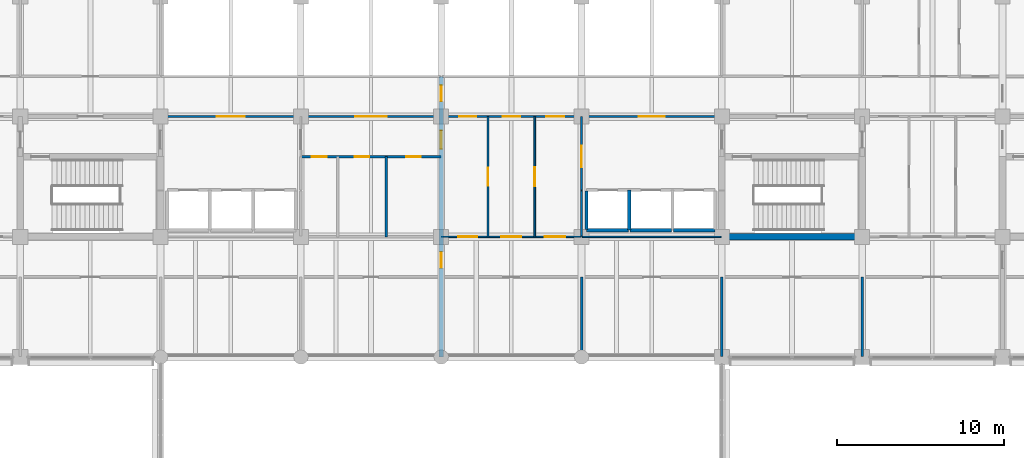
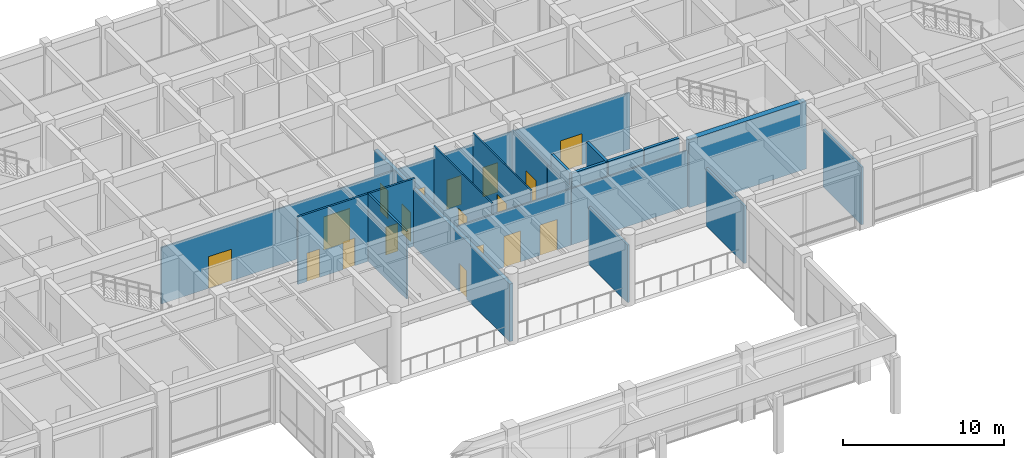
# One storey, part 48 of 68: 19 walls, 18 doors, 18 openings.
"""IFC4 building model written with IfcOpenShell, lengths in metres."""

from ifc_helpers import new_model, si_unit, direction, frame, frame_2d, origin, place, context, subcontext, project, spatial, rectangle, extrude, material, layer, layer_set, type_object, element, fill, save


model = new_model("IFC4")

# Units and contexts
model_context = context("Model", 3, precision=1e-05, world=origin(), true_north=direction((0.0, 1.0)))
body_context = subcontext(model_context, "Body", "Model", "MODEL_VIEW")
ifc_project = project(units=[si_unit("LENGTHUNIT", "METRE"), si_unit("AREAUNIT", "SQUARE_METRE"), si_unit("VOLUMEUNIT", "CUBIC_METRE"), si_unit("PLANEANGLEUNIT", "RADIAN"), si_unit("MASSUNIT", "GRAM", prefix="KILO")], contexts=[model_context])

# Site, building, storey
site_placement = place(None, origin())
site = spatial("IfcSite", under=ifc_project, at=site_placement, CompositionType="ELEMENT")
building_placement = place(site_placement, origin())
building = spatial("IfcBuilding", under=site, at=building_placement, Name="Chengyuan Square Courthouse", CompositionType="ELEMENT")
storey_placement = place(building_placement, frame((0.0, 0.0, 5.39990234375)))
storey = spatial("IfcBuildingStorey", under=building, at=storey_placement, Name="L02", CompositionType="ELEMENT", Elevation=5.39990234375)

# Wall, openings, doors
ifc_material_1 = material(Name="Concrete C40", Category="concrete")
ifc_layer_1 = layer(ifc_material_1, 0.25)
ifc_layer_set_1 = layer_set([ifc_layer_1], Name="Concrete C40")
wall_type_1 = type_object("IfcWallType", Name="WL-FW1", PredefinedType="STANDARD", material=ifc_layer_set_1)
wall_1_placement = place(storey_placement, frame((84.0, 79.199951171875, 0.0), z_axis=(0.0, 0.0, 1.0), x_axis=(0.0, 1.0, 0.0)))
wall_1 = element("IfcWall", 1, at=wall_1_placement, inside=storey, type_object=wall_type_1, Name="Interior Wall WL-L02-I1293", PredefinedType="STANDARD", context=body_context, shape_type="SweptSolid", body=[
    extrude(rectangle(XDim=16.800048828125, YDim=0.25, at=frame_2d((8.39990234375, 0.0))), origin(), (0.0, 0.0, 1.0), 4.3701171875),
])
opening_1_placement = place(wall_1_placement, frame((12.465087890625, 0.0, 0.0)))
opening_1 = element("IfcOpeningElement", 2, at=opening_1_placement, cuts=wall_1, Name="Opening DR-1108", PredefinedType="OPENING", context=body_context, shape_type="SweptSolid", body=[
    extrude(rectangle(XDim=1.10009765625, YDim=2.199951171875, at=frame_2d((0.550048828125, 1.10009765625))), frame((0.0, 0.136962890625, 0.0), z_axis=(0.0, -1.0, 0.0), x_axis=(1.0, 0.0, 0.0)), (0.0, 0.0, 1.0), 0.27392578125),
])
opening_2_placement = place(wall_1_placement, frame((15.31005859375, 0.0, 0.0)))
opening_2 = element("IfcOpeningElement", 3, at=opening_2_placement, cuts=wall_1, Name="Opening DR-1128", PredefinedType="OPENING", context=body_context, shape_type="SweptSolid", body=[
    extrude(rectangle(XDim=0.949951171875, YDim=2.14990234375, at=frame_2d((0.47509765625, 1.074951171875))), frame((0.0, 0.136962890625, 0.0), z_axis=(0.0, -1.0, 0.0), x_axis=(1.0, 0.0, 0.0)), (0.0, 0.0, 1.0), 0.27392578125),
])
opening_3_placement = place(wall_1_placement, frame((5.340087890625, 0.0, 0.0)))
opening_3 = element("IfcOpeningElement", 4, at=opening_3_placement, cuts=wall_1, Name="Opening DR-1236", PredefinedType="OPENING", context=body_context, shape_type="SweptSolid", body=[
    extrude(rectangle(XDim=0.949951171875, YDim=2.14990234375, at=frame_2d((0.47509765625, 1.074951171875))), frame((0.0, 0.136962890625, 0.0), z_axis=(0.0, -1.0, 0.0), x_axis=(1.0, 0.0, 0.0)), (0.0, 0.0, 1.0), 0.27392578125),
])
ifc_material_2 = material(Name="Steel Q235B Fire Door", Category="steel")
door_type_1 = type_object("IfcDoorType", Name="DT-10", OperationType="NOTDEFINED", PredefinedType="DOOR", material=ifc_material_2)
door_1_placement = place(opening_1_placement, origin())
door_1 = element("IfcDoor", 5, at=door_1_placement, inside=storey, type_object=door_type_1, Name="Interior Door DR-1108", OperationType="SINGLE_SWING_RIGHT", OverallHeight=2.199951171875, OverallWidth=1.10009765625, PredefinedType="DOOR", context=body_context, shape_type="SweptSolid", body=[
    extrude(rectangle(XDim=1.10009765625, YDim=2.199951171875, at=frame_2d((0.550048828125, 1.10009765625))), frame((0.0, 0.02490234375, 0.0), z_axis=(0.0, -1.0, 0.0), x_axis=(1.0, 0.0, 0.0)), (0.0, 0.0, 1.0), 0.050048828125),
])
fill(opening_1, door_1)
door_type_2 = type_object("IfcDoorType", Name="DT-12", OperationType="NOTDEFINED", PredefinedType="DOOR", material=ifc_material_2)
door_2_placement = place(opening_2_placement, origin())
door_2 = element("IfcDoor", 6, at=door_2_placement, inside=storey, type_object=door_type_2, Name="Interior Door DR-1128", OperationType="SINGLE_SWING_RIGHT", OverallHeight=2.14990234375, OverallWidth=0.949951171875, PredefinedType="DOOR", context=body_context, shape_type="SweptSolid", body=[
    extrude(rectangle(XDim=0.949951171875, YDim=2.14990234375, at=frame_2d((0.47509765625, 1.074951171875))), frame((0.0, 0.02490234375, 0.0), z_axis=(0.0, -1.0, 0.0), x_axis=(1.0, 0.0, 0.0)), (0.0, 0.0, 1.0), 0.050048828125),
])
fill(opening_2, door_2)
door_3_placement = place(opening_3_placement, origin())
door_3 = element("IfcDoor", 7, at=door_3_placement, inside=storey, type_object=door_type_2, Name="Interior Door DR-1236", OperationType="SINGLE_SWING_LEFT", OverallHeight=2.14990234375, OverallWidth=0.949951171875, PredefinedType="DOOR", context=body_context, shape_type="SweptSolid", body=[
    extrude(rectangle(XDim=0.949951171875, YDim=2.14990234375, at=frame_2d((0.47509765625, 1.074951171875))), frame((0.0, 0.02490234375, 0.0), z_axis=(0.0, -1.0, 0.0), x_axis=(1.0, 0.0, 0.0)), (0.0, 0.0, 1.0), 0.050048828125),
])
fill(opening_3, door_3)

# Walls
ifc_material_3 = material(Name="Deliberation Room Sound-Insulated Partition")
ifc_layer_2 = layer(ifc_material_3, 0.14990234375)
ifc_layer_set_2 = layer_set([ifc_layer_2], Name="Deliberation Room Sound-Insulated Partition")
wall_type_2 = type_object("IfcWallType", Name="WL-PT3", PredefinedType="STANDARD", material=ifc_layer_set_2)
wall_2_placement = place(storey_placement, frame((92.39990234375, 79.199951171875, 0.0), z_axis=(0.0, 0.0, 1.0), x_axis=(0.0, 1.0, 0.0)))
element("IfcWall", 8, at=wall_2_placement, inside=storey, type_object=wall_type_2, Name="Interior Wall WL-L02-I1302", PredefinedType="STANDARD", context=body_context, shape_type="SweptSolid", body=[
    extrude(rectangle(XDim=4.800048828125, YDim=0.14990234375, at=frame_2d((2.39990234375, 0.0))), origin(), (0.0, 0.0, 1.0), 4.3701171875),
])
for number, where, z_axis, x_axis, name in (
    (9, (100.800048828125, 79.239990234375, 0.0), (0.0, 0.0, 1.0), (0.0, 1.0, 0.0), "Interior Wall WL-L02-I1316"),
    (10, (109.199951171875, 79.239990234375, 0.0), (0.0, 0.0, 1.0), (0.0, 1.0, 0.0), "Interior Wall WL-L02-I1325"),
):
    element("IfcWall", number, at=place(storey_placement, frame(where, z_axis=z_axis, x_axis=x_axis)), inside=storey, type_object=wall_type_2, Name=name, PredefinedType="STANDARD", context=body_context, shape_type="SweptSolid", body=[
        extrude(rectangle(XDim=4.760009765625, YDim=0.14990234375, at=frame_2d((2.3798828125, 0.0))), origin(), (0.0, 0.0, 1.0), 4.3701171875),
    ])

# Wall, openings, doors
ifc_material_4 = material(Name="Moisture-Resistant Masonry Wet-Room Partition", Category="masonry")
ifc_layer_3 = layer(ifc_material_4, 0.139892578125)
ifc_layer_set_3 = layer_set([ifc_layer_3], Name="Moisture-Resistant Masonry Wet-Room Partition")
wall_type_3 = type_object("IfcWallType", Name="WL-PT4", PredefinedType="STANDARD", material=ifc_layer_set_3)
wall_3_placement = place(storey_placement, frame((75.60009765625, 91.199951171875, 0.0), z_axis=(0.0, 0.0, 1.0), x_axis=(1.0, 0.0, 0.0)))
wall_3 = element("IfcWall", 11, at=wall_3_placement, inside=storey, type_object=wall_type_3, Name="Interior Wall WL-L02-I1094", PredefinedType="STANDARD", context=body_context, shape_type="SweptSolid", body=[
    extrude(rectangle(XDim=8.39990234375, YDim=0.139892578125, at=frame_2d((4.199951171875, 0.0))), origin(), (0.0, 0.0, 1.0), 5.1201171875),
])
opening_4_placement = place(wall_3_placement, frame((0.64990234375, 0.0, 0.0)))
opening_4 = element("IfcOpeningElement", 12, at=opening_4_placement, cuts=wall_3, Name="Opening DR-1104", PredefinedType="OPENING", context=body_context, shape_type="SweptSolid", body=[
    extrude(rectangle(XDim=0.89990234375, YDim=2.14990234375, at=frame_2d((0.449951171875, 1.074951171875))), frame((0.0, 0.08203125, 0.0), z_axis=(0.0, -1.0, 0.0), x_axis=(1.0, 0.0, 0.0)), (0.0, 0.0, 1.0), 0.163818359375),
])
opening_5_placement = place(wall_3_placement, frame((3.219970703125, 0.0, 0.0)))
opening_5 = element("IfcOpeningElement", 13, at=opening_5_placement, cuts=wall_3, Name="Opening DR-1105", PredefinedType="OPENING", context=body_context, shape_type="SweptSolid", body=[
    extrude(rectangle(XDim=0.860107421875, YDim=2.10009765625, at=frame_2d((0.43017578125, 1.050048828125))), frame((0.0, 0.08203125, 0.0), z_axis=(0.0, -1.0, 0.0), x_axis=(1.0, 0.0, 0.0)), (0.0, 0.0, 1.0), 0.163818359375),
])
opening_6_placement = place(wall_3_placement, frame((6.320068359375, 0.0, 0.0)))
opening_6 = element("IfcOpeningElement", 14, at=opening_6_placement, cuts=wall_3, Name="Opening DR-1106", PredefinedType="OPENING", context=body_context, shape_type="SweptSolid", body=[
    extrude(rectangle(XDim=0.860107421875, YDim=2.10009765625, at=frame_2d((0.43017578125, 1.050048828125))), frame((0.0, 0.08203125, 0.0), z_axis=(0.0, -1.0, 0.0), x_axis=(1.0, 0.0, 0.0)), (0.0, 0.0, 1.0), 0.163818359375),
])
ifc_material_5 = material(Name="Acoustic Solid-Core Timber Door", Category="wood")
door_type_3 = type_object("IfcDoorType", Name="DT-27", OperationType="NOTDEFINED", PredefinedType="DOOR", material=ifc_material_5)
door_4_placement = place(opening_4_placement, origin())
door_4 = element("IfcDoor", 15, at=door_4_placement, inside=storey, type_object=door_type_3, Name="Interior Door DR-1104", OperationType="SINGLE_SWING_LEFT", OverallHeight=2.14990234375, OverallWidth=0.89990234375, PredefinedType="DOOR", context=body_context, shape_type="SweptSolid", body=[
    extrude(rectangle(XDim=0.89990234375, YDim=2.14990234375, at=frame_2d((0.449951171875, 1.074951171875))), frame((0.0, 0.02490234375, 0.0), z_axis=(0.0, -1.0, 0.0), x_axis=(1.0, 0.0, 0.0)), (0.0, 0.0, 1.0), 0.050048828125),
])
fill(opening_4, door_4)
door_type_4 = type_object("IfcDoorType", Name="DT-28", OperationType="NOTDEFINED", PredefinedType="DOOR", material=ifc_material_5)
door_5_placement = place(opening_5_placement, origin())
door_5 = element("IfcDoor", 16, at=door_5_placement, inside=storey, type_object=door_type_4, Name="Interior Door DR-1105", OperationType="SINGLE_SWING_RIGHT", OverallHeight=2.10009765625, OverallWidth=0.860107421875, PredefinedType="DOOR", context=body_context, shape_type="SweptSolid", body=[
    extrude(rectangle(XDim=0.860107421875, YDim=2.10009765625, at=frame_2d((0.43017578125, 1.050048828125))), frame((0.0, 0.02490234375, 0.0), z_axis=(0.0, -1.0, 0.0), x_axis=(1.0, 0.0, 0.0)), (0.0, 0.0, 1.0), 0.050048828125),
])
fill(opening_5, door_5)
door_6_placement = place(opening_6_placement, origin())
door_6 = element("IfcDoor", 17, at=door_6_placement, inside=storey, type_object=door_type_4, Name="Interior Door DR-1106", OperationType="SINGLE_SWING_LEFT", OverallHeight=2.10009765625, OverallWidth=0.860107421875, PredefinedType="DOOR", context=body_context, shape_type="SweptSolid", body=[
    extrude(rectangle(XDim=0.860107421875, YDim=2.10009765625, at=frame_2d((0.43017578125, 1.050048828125))), frame((0.0, 0.02490234375, 0.0), z_axis=(0.0, -1.0, 0.0), x_axis=(1.0, 0.0, 0.0)), (0.0, 0.0, 1.0), 0.050048828125),
])
fill(opening_6, door_6)

# Wall
wall_4_placement = place(storey_placement, frame((80.699951171875, 86.39990234375, 0.0), z_axis=(0.0, 0.0, 1.0), x_axis=(0.0, 1.0, 0.0)))
element("IfcWall", 18, at=wall_4_placement, inside=storey, type_object=wall_type_3, Name="Interior Wall WL-L02-I1290", PredefinedType="STANDARD", context=body_context, shape_type="SweptSolid", body=[
    extrude(rectangle(XDim=4.800048828125, YDim=0.139892578125, at=frame_2d((2.39990234375, 0.0))), origin(), (0.0, 0.0, 1.0), 5.1201171875),
])

# Wall, openings, doors
ifc_material_6 = material(Name="Gypsum Plasterboard Acoustic Stud Partition")
ifc_layer_4 = layer(ifc_material_6, 0.10009765625)
ifc_layer_set_4 = layer_set([ifc_layer_4], Name="Gypsum Plasterboard Acoustic Stud Partition")
wall_type_4 = type_object("IfcWallType", Name="WL-PT6", PredefinedType="STANDARD", material=ifc_layer_set_4)
wall_5_placement = place(storey_placement, frame((84.0, 86.39990234375, 0.0), z_axis=(0.0, 0.0, 1.0), x_axis=(1.0, 0.0, 0.0)))
wall_5 = element("IfcWall", 19, at=wall_5_placement, inside=storey, type_object=wall_type_4, Name="Interior Wall WL-L02-I1075", PredefinedType="STANDARD", context=body_context, shape_type="SweptSolid", body=[
    extrude(rectangle(XDim=8.39990234375, YDim=0.10009765625, at=frame_2d((4.199951171875, 0.0))), origin(), (0.0, 0.0, 1.0), 4.27001953125),
])
opening_7_placement = place(wall_5_placement, frame((1.02490234375, 0.0, 0.0)))
opening_7 = element("IfcOpeningElement", 20, at=opening_7_placement, cuts=wall_5, Name="Opening DR-1195", PredefinedType="OPENING", context=body_context, shape_type="SweptSolid", body=[
    extrude(rectangle(XDim=1.1201171875, YDim=2.25, at=frame_2d((0.56005859375, 1.125))), frame((0.0, 0.06201171875, 0.0), z_axis=(0.0, -1.0, 0.0), x_axis=(1.0, 0.0, 0.0)), (0.0, 0.0, 1.0), 0.1240234375),
])
opening_8_placement = place(wall_5_placement, frame((3.60009765625, 0.0, 0.0)))
opening_8 = element("IfcOpeningElement", 21, at=opening_8_placement, cuts=wall_5, Name="Opening DR-1197", PredefinedType="OPENING", context=body_context, shape_type="SweptSolid", body=[
    extrude(rectangle(XDim=1.199951171875, YDim=2.35009765625, at=frame_2d((0.60009765625, 1.175048828125))), frame((0.0, 0.06201171875, 0.0), z_axis=(0.0, -1.0, 0.0), x_axis=(1.0, 0.0, 0.0)), (0.0, 0.0, 1.0), 0.1240234375),
])
opening_9_placement = place(wall_5_placement, frame((6.195068359375, 0.0, 0.0)))
opening_9 = element("IfcOpeningElement", 22, at=opening_9_placement, cuts=wall_5, Name="Opening DR-1198", PredefinedType="OPENING", context=body_context, shape_type="SweptSolid", body=[
    extrude(rectangle(XDim=1.239990234375, YDim=2.300048828125, at=frame_2d((0.6201171875, 1.14990234375))), frame((0.0, 0.06201171875, 0.0), z_axis=(0.0, -1.0, 0.0), x_axis=(1.0, 0.0, 0.0)), (0.0, 0.0, 1.0), 0.1240234375),
])
door_type_5 = type_object("IfcDoorType", Name="DT-34", OperationType="NOTDEFINED", PredefinedType="DOOR", material=ifc_material_5)
door_7_placement = place(opening_7_placement, origin())
door_7 = element("IfcDoor", 23, at=door_7_placement, inside=storey, type_object=door_type_5, Name="Interior Door DR-1195", OperationType="SINGLE_SWING_RIGHT", OverallHeight=2.25, OverallWidth=1.1201171875, PredefinedType="DOOR", context=body_context, shape_type="SweptSolid", body=[
    extrude(rectangle(XDim=1.1201171875, YDim=2.25, at=frame_2d((0.56005859375, 1.125))), frame((0.0, 0.02490234375, 0.0), z_axis=(0.0, -1.0, 0.0), x_axis=(1.0, 0.0, 0.0)), (0.0, 0.0, 1.0), 0.050048828125),
])
fill(opening_7, door_7)
door_type_6 = type_object("IfcDoorType", Name="DT-36", OperationType="NOTDEFINED", PredefinedType="DOOR", material=ifc_material_5)
door_8_placement = place(opening_8_placement, origin())
door_8 = element("IfcDoor", 24, at=door_8_placement, inside=storey, type_object=door_type_6, Name="Interior Door DR-1197", OperationType="SINGLE_SWING_RIGHT", OverallHeight=2.35009765625, OverallWidth=1.199951171875, PredefinedType="DOOR", context=body_context, shape_type="SweptSolid", body=[
    extrude(rectangle(XDim=1.199951171875, YDim=2.35009765625, at=frame_2d((0.60009765625, 1.175048828125))), frame((0.0, 0.02490234375, 0.0), z_axis=(0.0, -1.0, 0.0), x_axis=(1.0, 0.0, 0.0)), (0.0, 0.0, 1.0), 0.050048828125),
])
fill(opening_8, door_8)
door_type_7 = type_object("IfcDoorType", Name="DT-37", OperationType="NOTDEFINED", PredefinedType="DOOR", material=ifc_material_5)
door_9_placement = place(opening_9_placement, origin())
door_9 = element("IfcDoor", 25, at=door_9_placement, inside=storey, type_object=door_type_7, Name="Interior Door DR-1198", OperationType="SINGLE_SWING_LEFT", OverallHeight=2.300048828125, OverallWidth=1.239990234375, PredefinedType="DOOR", context=body_context, shape_type="SweptSolid", body=[
    extrude(rectangle(XDim=1.239990234375, YDim=2.300048828125, at=frame_2d((0.6201171875, 1.14990234375))), frame((0.0, 0.02490234375, 0.0), z_axis=(0.0, -1.0, 0.0), x_axis=(1.0, 0.0, 0.0)), (0.0, 0.0, 1.0), 0.050048828125),
])
fill(opening_9, door_9)

# Wall
wall_6_placement = place(storey_placement, frame((92.449951171875, 86.39990234375, 0.0), z_axis=(0.0, 0.0, 1.0), x_axis=(1.0, 0.0, 0.0)))
element("IfcWall", 26, at=wall_6_placement, inside=storey, type_object=wall_type_4, Name="Interior Wall WL-L02-I1076", PredefinedType="STANDARD", context=body_context, shape_type="SweptSolid", body=[
    extrude(rectangle(XDim=8.300048828125, YDim=0.10009765625, at=frame_2d((4.14990234375, 0.0))), origin(), (0.0, 0.0, 1.0), 4.27001953125),
])

# Wall, openings, doors
wall_7_placement = place(storey_placement, frame((67.199951171875, 93.60009765625, 0.0), z_axis=(0.0, 0.0, 1.0), x_axis=(1.0, 0.0, 0.0)))
wall_7 = element("IfcWall", 27, at=wall_7_placement, inside=storey, type_object=wall_type_4, Name="Interior Wall WL-L02-I1104", PredefinedType="STANDARD", context=body_context, shape_type="SweptSolid", body=[
    extrude(rectangle(XDim=33.60009765625, YDim=0.10009765625, at=frame_2d((16.800048828125, 0.0))), origin(), (0.0, 0.0, 1.0), 4.27001953125),
])
opening_10_placement = place(wall_7_placement, frame((3.375, 0.0, 0.0)))
opening_10 = element("IfcOpeningElement", 28, at=opening_10_placement, cuts=wall_7, Name="Opening DR-1061", PredefinedType="OPENING", context=body_context, shape_type="SweptSolid", body=[
    extrude(rectangle(XDim=1.64990234375, YDim=2.39990234375, at=frame_2d((0.824951171875, 1.199951171875))), frame((0.0, 0.06201171875, 0.0), z_axis=(0.0, -1.0, 0.0), x_axis=(1.0, 0.0, 0.0)), (0.0, 0.0, 1.0), 0.1240234375),
])
opening_11_placement = place(wall_7_placement, frame((28.625, 0.0, 0.0)))
opening_11 = element("IfcOpeningElement", 29, at=opening_11_placement, cuts=wall_7, Name="Opening DR-1062", PredefinedType="OPENING", context=body_context, shape_type="SweptSolid", body=[
    extrude(rectangle(XDim=1.550048828125, YDim=2.35009765625, at=frame_2d((0.77490234375, 1.175048828125))), frame((0.0, 0.06201171875, 0.0), z_axis=(0.0, -1.0, 0.0), x_axis=(1.0, 0.0, 0.0)), (0.0, 0.0, 1.0), 0.1240234375),
])
opening_12_placement = place(wall_7_placement, frame((11.64990234375, 0.0, 0.0)))
opening_12 = element("IfcOpeningElement", 30, at=opening_12_placement, cuts=wall_7, Name="Opening DR-1107", PredefinedType="OPENING", context=body_context, shape_type="SweptSolid", body=[
    extrude(rectangle(XDim=1.89990234375, YDim=2.5, at=frame_2d((0.949951171875, 1.25))), frame((0.0, 0.06201171875, 0.0), z_axis=(0.0, -1.0, 0.0), x_axis=(1.0, 0.0, 0.0)), (0.0, 0.0, 1.0), 0.1240234375),
])
opening_13_placement = place(wall_7_placement, frame((17.885009765625, 0.0, 0.0)))
opening_13 = element("IfcOpeningElement", 31, at=opening_13_placement, cuts=wall_7, Name="Opening DR-1141", PredefinedType="OPENING", context=body_context, shape_type="SweptSolid", body=[
    extrude(rectangle(XDim=1.0, YDim=2.25, at=frame_2d((0.5, 1.125))), frame((0.0, 0.06201171875, 0.0), z_axis=(0.0, -1.0, 0.0), x_axis=(1.0, 0.0, 0.0)), (0.0, 0.0, 1.0), 0.1240234375),
])
opening_14_placement = place(wall_7_placement, frame((20.47998046875, 0.0, 0.0)))
opening_14 = element("IfcOpeningElement", 32, at=opening_14_placement, cuts=wall_7, Name="Opening DR-1142", PredefinedType="OPENING", context=body_context, shape_type="SweptSolid", body=[
    extrude(rectangle(XDim=1.0400390625, YDim=2.199951171875, at=frame_2d((0.52001953125, 1.10009765625))), frame((0.0, 0.06201171875, 0.0), z_axis=(0.0, -1.0, 0.0), x_axis=(1.0, 0.0, 0.0)), (0.0, 0.0, 1.0), 0.1240234375),
])
opening_15_placement = place(wall_7_placement, frame((23.074951171875, 0.0, 0.0)))
opening_15 = element("IfcOpeningElement", 33, at=opening_15_placement, cuts=wall_7, Name="Opening DR-1143", PredefinedType="OPENING", context=body_context, shape_type="SweptSolid", body=[
    extrude(rectangle(XDim=1.080078125, YDim=2.25, at=frame_2d((0.5400390625, 1.125))), frame((0.0, 0.06201171875, 0.0), z_axis=(0.0, -1.0, 0.0), x_axis=(1.0, 0.0, 0.0)), (0.0, 0.0, 1.0), 0.1240234375),
])
ifc_material_7 = material(Name="Acoustic Larch Veneer Double Door")
door_type_8 = type_object("IfcDoorType", Name="DT-22", OperationType="DOUBLE_DOOR_SINGLE_SWING", PredefinedType="DOOR", material=ifc_material_7)
door_10_placement = place(opening_10_placement, frame((1.64990234375, 0.0, 0.0), z_axis=(0.0, 0.0, 1.0), x_axis=(-1.0, 0.0, 0.0)))
door_10 = element("IfcDoor", 34, at=door_10_placement, inside=storey, type_object=door_type_8, Name="Interior Door DR-1061", OperationType="DOUBLE_DOOR_SINGLE_SWING", OverallHeight=2.39990234375, OverallWidth=1.64990234375, PredefinedType="DOOR", context=body_context, shape_type="SweptSolid", body=[
    extrude(rectangle(XDim=1.64990234375, YDim=2.39990234375, at=frame_2d((0.824951171875, 1.199951171875))), frame((0.0, 0.02490234375, 0.0), z_axis=(0.0, -1.0, 0.0), x_axis=(1.0, 0.0, 0.0)), (0.0, 0.0, 1.0), 0.050048828125),
])
fill(opening_10, door_10)
door_type_9 = type_object("IfcDoorType", Name="DT-23", OperationType="DOUBLE_DOOR_SINGLE_SWING", PredefinedType="DOOR", material=ifc_material_7)
door_11_placement = place(opening_11_placement, frame((1.550048828125, 0.0, 0.0), z_axis=(0.0, 0.0, 1.0), x_axis=(-1.0, 0.0, 0.0)))
door_11 = element("IfcDoor", 35, at=door_11_placement, inside=storey, type_object=door_type_9, Name="Interior Door DR-1062", OperationType="DOUBLE_DOOR_SINGLE_SWING", OverallHeight=2.35009765625, OverallWidth=1.550048828125, PredefinedType="DOOR", context=body_context, shape_type="SweptSolid", body=[
    extrude(rectangle(XDim=1.550048828125, YDim=2.35009765625, at=frame_2d((0.77490234375, 1.175048828125))), frame((0.0, 0.02490234375, 0.0), z_axis=(0.0, -1.0, 0.0), x_axis=(1.0, 0.0, 0.0)), (0.0, 0.0, 1.0), 0.050048828125),
])
fill(opening_11, door_11)
door_type_10 = type_object("IfcDoorType", Name="DT-26", OperationType="DOUBLE_DOOR_SINGLE_SWING", PredefinedType="DOOR", material=ifc_material_7)
door_12_placement = place(opening_12_placement, frame((1.89990234375, 0.0, 0.0), z_axis=(0.0, 0.0, 1.0), x_axis=(-1.0, 0.0, 0.0)))
door_12 = element("IfcDoor", 36, at=door_12_placement, inside=storey, type_object=door_type_10, Name="Interior Door DR-1107", OperationType="DOUBLE_DOOR_SINGLE_SWING", OverallHeight=2.5, OverallWidth=1.89990234375, PredefinedType="DOOR", context=body_context, shape_type="SweptSolid", body=[
    extrude(rectangle(XDim=1.89990234375, YDim=2.5, at=frame_2d((0.949951171875, 1.25))), frame((0.0, 0.02490234375, 0.0), z_axis=(0.0, -1.0, 0.0), x_axis=(1.0, 0.0, 0.0)), (0.0, 0.0, 1.0), 0.050048828125),
])
fill(opening_12, door_12)
door_type_11 = type_object("IfcDoorType", Name="DT-31", OperationType="NOTDEFINED", PredefinedType="DOOR", material=ifc_material_5)
door_13_placement = place(opening_13_placement, origin())
door_13 = element("IfcDoor", 37, at=door_13_placement, inside=storey, type_object=door_type_11, Name="Interior Door DR-1141", OperationType="SINGLE_SWING_LEFT", OverallHeight=2.25, OverallWidth=1.0, PredefinedType="DOOR", context=body_context, shape_type="SweptSolid", body=[
    extrude(rectangle(XDim=1.0, YDim=2.25, at=frame_2d((0.5, 1.125))), frame((0.0, 0.02490234375, 0.0), z_axis=(0.0, -1.0, 0.0), x_axis=(1.0, 0.0, 0.0)), (0.0, 0.0, 1.0), 0.050048828125),
])
fill(opening_13, door_13)
door_type_12 = type_object("IfcDoorType", Name="DT-32", OperationType="NOTDEFINED", PredefinedType="DOOR", material=ifc_material_5)
door_14_placement = place(opening_14_placement, origin())
door_14 = element("IfcDoor", 38, at=door_14_placement, inside=storey, type_object=door_type_12, Name="Interior Door DR-1142", OperationType="SINGLE_SWING_RIGHT", OverallHeight=2.199951171875, OverallWidth=1.0400390625, PredefinedType="DOOR", context=body_context, shape_type="SweptSolid", body=[
    extrude(rectangle(XDim=1.0400390625, YDim=2.199951171875, at=frame_2d((0.52001953125, 1.10009765625))), frame((0.0, 0.02490234375, 0.0), z_axis=(0.0, -1.0, 0.0), x_axis=(1.0, 0.0, 0.0)), (0.0, 0.0, 1.0), 0.050048828125),
])
fill(opening_14, door_14)
door_type_13 = type_object("IfcDoorType", Name="DT-33", OperationType="NOTDEFINED", PredefinedType="DOOR", material=ifc_material_5)
door_15_placement = place(opening_15_placement, origin())
door_15 = element("IfcDoor", 39, at=door_15_placement, inside=storey, type_object=door_type_13, Name="Interior Door DR-1143", OperationType="SINGLE_SWING_LEFT", OverallHeight=2.25, OverallWidth=1.080078125, PredefinedType="DOOR", context=body_context, shape_type="SweptSolid", body=[
    extrude(rectangle(XDim=1.080078125, YDim=2.25, at=frame_2d((0.5400390625, 1.125))), frame((0.0, 0.02490234375, 0.0), z_axis=(0.0, -1.0, 0.0), x_axis=(1.0, 0.0, 0.0)), (0.0, 0.0, 1.0), 0.050048828125),
])
fill(opening_15, door_15)

# Wall, opening, door
wall_8_placement = place(storey_placement, frame((86.800048828125, 86.39990234375, 0.0), z_axis=(0.0, 0.0, 1.0), x_axis=(0.0, 1.0, 0.0)))
wall_8 = element("IfcWall", 40, at=wall_8_placement, inside=storey, type_object=wall_type_4, Name="Interior Wall WL-L02-I1297", PredefinedType="STANDARD", context=body_context, shape_type="SweptSolid", body=[
    extrude(rectangle(XDim=7.2001953125, YDim=0.10009765625, at=frame_2d((3.60009765625, 0.0))), origin(), (0.0, 0.0, 1.0), 5.1201171875),
])
opening_16_placement = place(wall_8_placement, frame((3.06005859375, 0.0, 0.0)))
opening_16 = element("IfcOpeningElement", 41, at=opening_16_placement, cuts=wall_8, Name="Opening DR-1194", PredefinedType="OPENING", context=body_context, shape_type="SweptSolid", body=[
    extrude(rectangle(XDim=1.080078125, YDim=2.25, at=frame_2d((0.5400390625, 1.125))), frame((0.0, 0.06201171875, 0.0), z_axis=(0.0, -1.0, 0.0), x_axis=(1.0, 0.0, 0.0)), (0.0, 0.0, 1.0), 0.1240234375),
])
door_16_placement = place(opening_16_placement, origin())
door_16 = element("IfcDoor", 42, at=door_16_placement, inside=storey, type_object=door_type_13, Name="Interior Door DR-1194", OperationType="SINGLE_SWING_LEFT", OverallHeight=2.25, OverallWidth=1.080078125, PredefinedType="DOOR", context=body_context, shape_type="SweptSolid", body=[
    extrude(rectangle(XDim=1.080078125, YDim=2.25, at=frame_2d((0.5400390625, 1.125))), frame((0.0, 0.02490234375, 0.0), z_axis=(0.0, -1.0, 0.0), x_axis=(1.0, 0.0, 0.0)), (0.0, 0.0, 1.0), 0.050048828125),
])
fill(opening_16, door_16)

wall_9_placement = place(storey_placement, frame((89.60009765625, 86.39990234375, 0.0), z_axis=(0.0, 0.0, 1.0), x_axis=(0.0, 1.0, 0.0)))
wall_9 = element("IfcWall", 43, at=wall_9_placement, inside=storey, type_object=wall_type_4, Name="Interior Wall WL-L02-I1300", PredefinedType="STANDARD", context=body_context, shape_type="SweptSolid", body=[
    extrude(rectangle(XDim=7.2001953125, YDim=0.10009765625, at=frame_2d((3.60009765625, 0.0))), origin(), (0.0, 0.0, 1.0), 5.1201171875),
])
opening_17_placement = place(wall_9_placement, frame((3.02001953125, 0.0, 0.0)))
opening_17 = element("IfcOpeningElement", 44, at=opening_17_placement, cuts=wall_9, Name="Opening DR-1196", PredefinedType="OPENING", context=body_context, shape_type="SweptSolid", body=[
    extrude(rectangle(XDim=1.159912109375, YDim=2.300048828125, at=frame_2d((0.580078125, 1.14990234375))), frame((0.0, 0.06201171875, 0.0), z_axis=(0.0, -1.0, 0.0), x_axis=(1.0, 0.0, 0.0)), (0.0, 0.0, 1.0), 0.1240234375),
])
door_type_14 = type_object("IfcDoorType", Name="DT-35", OperationType="NOTDEFINED", PredefinedType="DOOR", material=ifc_material_5)
door_17_placement = place(opening_17_placement, origin())
door_17 = element("IfcDoor", 45, at=door_17_placement, inside=storey, type_object=door_type_14, Name="Interior Door DR-1196", OperationType="SINGLE_SWING_LEFT", OverallHeight=2.300048828125, OverallWidth=1.159912109375, PredefinedType="DOOR", context=body_context, shape_type="SweptSolid", body=[
    extrude(rectangle(XDim=1.159912109375, YDim=2.300048828125, at=frame_2d((0.580078125, 1.14990234375))), frame((0.0, 0.02490234375, 0.0), z_axis=(0.0, -1.0, 0.0), x_axis=(1.0, 0.0, 0.0)), (0.0, 0.0, 1.0), 0.050048828125),
])
fill(opening_17, door_17)

# Wall
wall_10_placement = place(storey_placement, frame((92.39990234375, 86.449951171875, 0.0), z_axis=(0.0, 0.0, 1.0), x_axis=(0.0, 1.0, 0.0)))
element("IfcWall", 46, at=wall_10_placement, inside=storey, type_object=wall_type_4, Name="Interior Wall WL-L02-I1303", PredefinedType="STANDARD", context=body_context, shape_type="SweptSolid", body=[
    extrude(rectangle(XDim=2.699951171875, YDim=0.10009765625, at=frame_2d((1.35009765625, 0.0))), origin(), (0.0, 0.0, 1.0), 4.3701171875),
])

# Wall, opening, door
wall_11_placement = place(storey_placement, frame((92.39990234375, 89.199951171875, 0.0), z_axis=(0.0, 0.0, 1.0), x_axis=(0.0, 1.0, 0.0)))
wall_11 = element("IfcWall", 47, at=wall_11_placement, inside=storey, type_object=wall_type_4, Name="Interior Wall WL-L02-I1304", PredefinedType="STANDARD", context=body_context, shape_type="SweptSolid", body=[
    extrude(rectangle(XDim=4.400146484375, YDim=0.10009765625, at=frame_2d((2.2001953125, 0.0))), origin(), (0.0, 0.0, 1.0), 4.3701171875),
])
opening_18_placement = place(wall_11_placement, frame((1.375, 0.0, 0.0)))
opening_18 = element("IfcOpeningElement", 48, at=opening_18_placement, cuts=wall_11, Name="Opening DR-1063", PredefinedType="OPENING", context=body_context, shape_type="SweptSolid", body=[
    extrude(rectangle(XDim=1.280029296875, YDim=2.35009765625, at=frame_2d((0.64013671875, 1.175048828125))), frame((0.0, 0.06201171875, 0.0), z_axis=(0.0, -1.0, 0.0), x_axis=(1.0, 0.0, 0.0)), (0.0, 0.0, 1.0), 0.1240234375),
])
door_type_15 = type_object("IfcDoorType", Name="DT-38", OperationType="NOTDEFINED", PredefinedType="DOOR", material=ifc_material_5)
door_18_placement = place(opening_18_placement, origin())
door_18 = element("IfcDoor", 49, at=door_18_placement, inside=storey, type_object=door_type_15, Name="Interior Door DR-1063", OperationType="SINGLE_SWING_RIGHT", OverallHeight=2.35009765625, OverallWidth=1.280029296875, PredefinedType="DOOR", context=body_context, shape_type="SweptSolid", body=[
    extrude(rectangle(XDim=1.280029296875, YDim=2.35009765625, at=frame_2d((0.64013671875, 1.175048828125))), frame((0.0, 0.02490234375, 0.0), z_axis=(0.0, -1.0, 0.0), x_axis=(1.0, 0.0, 0.0)), (0.0, 0.0, 1.0), 0.050048828125),
])
fill(opening_18, door_18)

# Walls
ifc_material_8 = material(Name="Reinforced Masonry Shaft Enclosure", Category="masonry")
ifc_layer_5 = layer(ifc_material_8, 0.199951171875)
ifc_layer_set_5 = layer_set([ifc_layer_5], Name="Reinforced Masonry Shaft Enclosure")
wall_type_5 = type_object("IfcWallType", Name="WL-SH1", PredefinedType="STANDARD", material=ifc_layer_set_5)
for number, where, z_axis, x_axis, name in (
    (50, (92.699951171875, 86.800048828125, 0.0), (0.0, 0.0, 1.0), (1.0, 0.0, 0.0), "Interior Wall WL-L02-I1086"),
    (51, (95.300048828125, 86.800048828125, 0.0), (0.0, 0.0, 1.0), (1.0, 0.0, 0.0), "Interior Wall WL-L02-I1087"),
    (52, (97.89990234375, 86.800048828125, 0.0), (0.0, 0.0, 1.0), (1.0, 0.0, 0.0), "Interior Wall WL-L02-I1088"),
):
    element("IfcWall", number, at=place(storey_placement, frame(where, z_axis=z_axis, x_axis=x_axis)), inside=storey, type_object=wall_type_5, Name=name, PredefinedType="STANDARD", context=body_context, shape_type="SweptSolid", body=[
        extrude(rectangle(XDim=2.5, YDim=0.199951171875, at=frame_2d((1.25, 0.0))), origin(), (0.0, 0.0, 1.0), 5.1201171875),
    ])
wall_12_placement = place(storey_placement, frame((92.699951171875, 86.85009765625, 0.0), z_axis=(0.0, 0.0, 1.0), x_axis=(0.0, 1.0, 0.0)))
element("IfcWall", 53, at=wall_12_placement, inside=storey, type_object=wall_type_5, Name="Interior Wall WL-L02-I1308", PredefinedType="STANDARD", context=body_context, shape_type="SweptSolid", body=[
    extrude(rectangle(XDim=2.2998046875, YDim=0.199951171875, at=frame_2d((1.14990234375, 0.0))), origin(), (0.0, 0.0, 1.0), 5.1201171875),
])
wall_13_placement = place(storey_placement, frame((95.25, 86.800048828125, 0.0), z_axis=(0.0, 0.0, 1.0), x_axis=(0.0, 1.0, 0.0)))
element("IfcWall", 54, at=wall_13_placement, inside=storey, type_object=wall_type_5, Name="Interior Wall WL-L02-I1309", PredefinedType="STANDARD", context=body_context, shape_type="SweptSolid", body=[
    extrude(rectangle(XDim=2.39990234375, YDim=0.199951171875, at=frame_2d((1.199951171875, 0.0))), origin(), (0.0, 0.0, 1.0), 5.1201171875),
])
ifc_material_9 = material(Name="Concrete C50", Category="concrete")
ifc_layer_6 = layer(ifc_material_9, 0.39990234375)
ifc_layer_set_6 = layer_set([ifc_layer_6], Name="Concrete C50")
wall_type_6 = type_object("IfcWallType", Name="WL-SW1", PredefinedType="SHEAR", material=ifc_layer_set_6)
wall_14_placement = place(storey_placement, frame((100.800048828125, 86.39990234375, 0.0), z_axis=(0.0, 0.0, 1.0), x_axis=(1.0, 0.0, 0.0)))
element("IfcWall", 55, at=wall_14_placement, inside=storey, type_object=wall_type_6, Name="Interior Wall WL-L02-I1077", PredefinedType="SHEAR", context=body_context, shape_type="SweptSolid", body=[
    extrude(rectangle(XDim=8.39990234375, YDim=0.39990234375, at=frame_2d((4.199951171875, 0.0))), origin(), (0.0, 0.0, 1.0), 5.1201171875),
])

save(model, "model.ifc")
